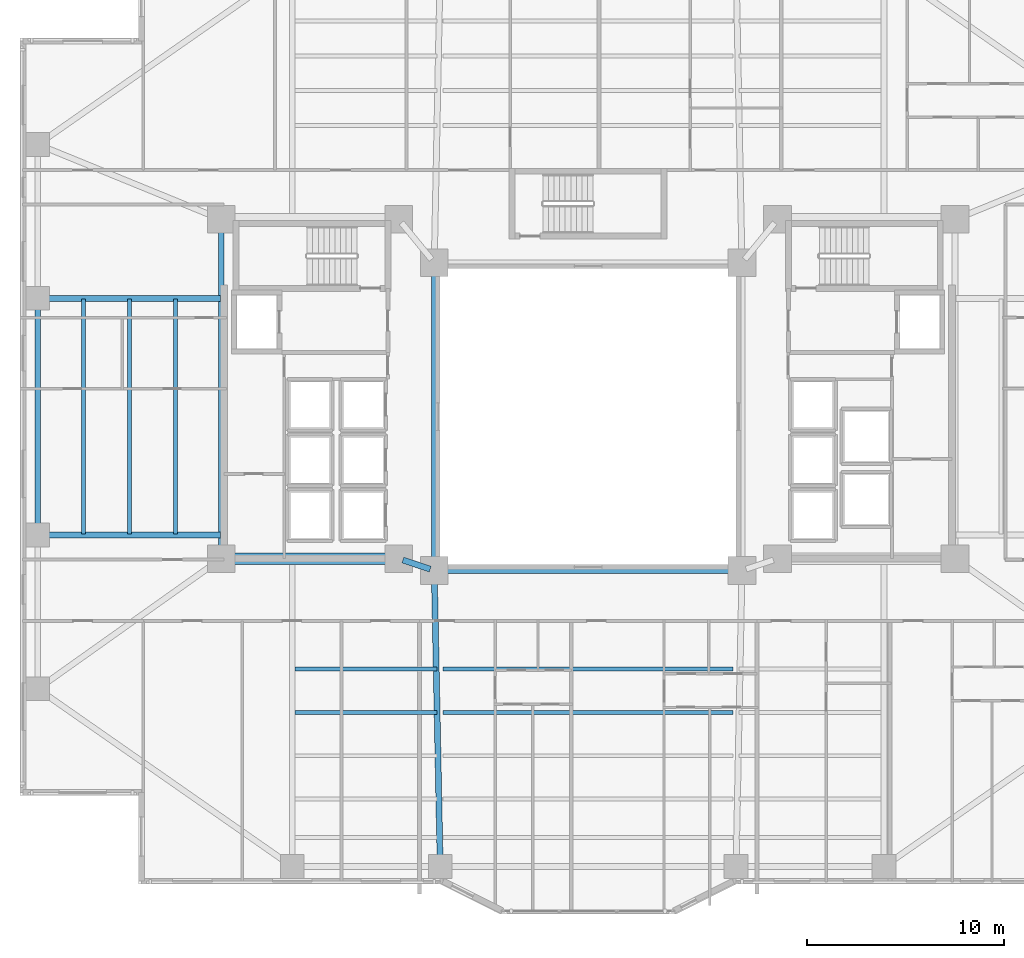
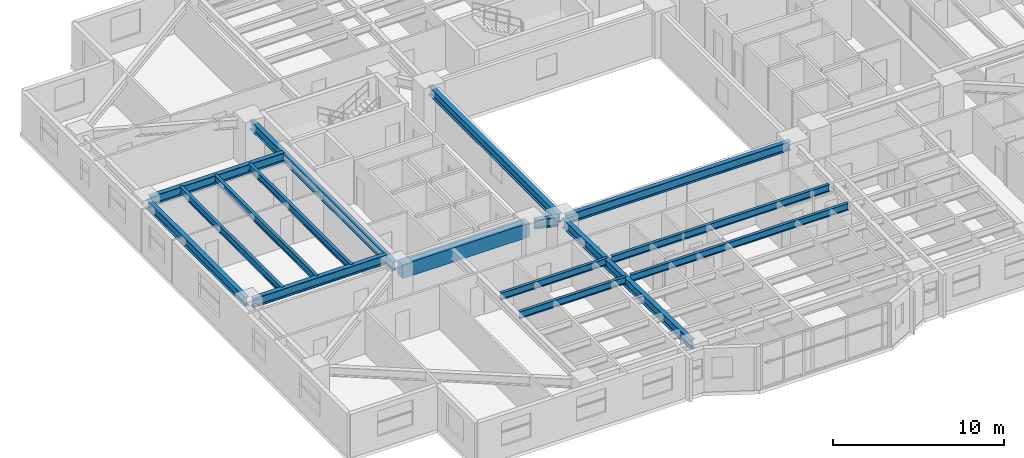
# One storey, part 3 of 21: 16 beams.
"""IFC4 building model written with IfcOpenShell, lengths in metres."""

from ifc_helpers import new_model, si_unit, direction, frame, origin, origin_2d, place, context, subcontext, project, spatial, rectangle, i_section, extrude, material, material_profile, profile_set, type_object, element, save


model = new_model("IFC4")

# Units and contexts
model_context = context("Model", 3, precision=1e-05, world=origin(), true_north=direction((0.0, 1.0)))
body_context = subcontext(model_context, "Body", "Model", "MODEL_VIEW")
ifc_project = project(units=[si_unit("LENGTHUNIT", "METRE"), si_unit("AREAUNIT", "SQUARE_METRE"), si_unit("VOLUMEUNIT", "CUBIC_METRE"), si_unit("PLANEANGLEUNIT", "RADIAN"), si_unit("MASSUNIT", "GRAM", prefix="KILO")], contexts=[model_context])

# Site, building, storey
site_placement = place(None, origin())
site = spatial("IfcSite", under=ifc_project, at=site_placement, CompositionType="ELEMENT")
building_placement = place(site_placement, origin())
building = spatial("IfcBuilding", under=site, at=building_placement, Name="Tarnavaz Court Tower", CompositionType="ELEMENT")
storey_placement = place(building_placement, frame((0.0, 0.0, 44.10009765625)))
storey = spatial("IfcBuildingStorey", under=building, at=storey_placement, Name="L11", CompositionType="ELEMENT", Elevation=44.10009765625)

# Beams
ifc_material_1 = material(Name="Concrete C60/75", Category="concrete")
ifc_material_profile_1 = material_profile(ifc_material_1, rectangle(XDim=0.60009765625, YDim=1.0, at=origin_2d()), Name="RC 600X1000")
ifc_profile_set_1 = profile_set([ifc_material_profile_1], Name="Concrete C60/75")
beam_type_1 = type_object("IfcBeamType", Name="BM-CB1000", PredefinedType="LINTEL", material=ifc_profile_set_1)
beam_1_placement = place(storey_placement, frame((-18.3798828125, -7.199951171875, 2.599853515625), z_axis=(1.0, 0.0, 0.0), x_axis=(0.0, 1.0, 0.0)))
element("IfcBeam", 1, at=beam_1_placement, inside=storey, type_object=beam_type_1, Name="L11 Beam IN-CW-SO-CW-SI", PredefinedType="LINTEL", context=body_context, shape_type="SweptSolid", body=[
    extrude(rectangle(XDim=0.60009765625, YDim=1.0, at=origin_2d()), origin(), (0.0, 0.0, 1.0), 8.559814453125),
])
ifc_material_2 = material(Name="Steel S355", Category="steel")
ifc_material_profile_2 = material_profile(ifc_material_2, i_section(OverallWidth=0.300048828125, OverallDepth=0.64990234375, WebThickness=0.01611328125, FlangeThickness=0.031005859375, FilletRadius=0.027099609375, at=origin_2d()), Name="HEB 650")
ifc_profile_set_2 = profile_set([ifc_material_profile_2], Name="Steel S355")
beam_type_2 = type_object("IfcBeamType", Name="BM-G-HEB650", PredefinedType="USERDEFINED", material=ifc_profile_set_2)
beam_2_placement = place(storey_placement, frame((-9.391357421875, -7.26953125, 2.77490234375), z_axis=(0.948666544706, -0.316278021615, 0.0), x_axis=(0.316278021615, 0.948666544706, 0.0)))
element("IfcBeam", 2, at=beam_2_placement, inside=storey, type_object=beam_type_2, Name="L11 Beam IN-CW-SI-IW-SW", ObjectType="GIRDER", PredefinedType="USERDEFINED", context=body_context, shape_type="SweptSolid", body=[
    extrude(i_section(OverallWidth=0.300048828125, OverallDepth=0.64990234375, WebThickness=0.01611328125, FlangeThickness=0.031005859375, FilletRadius=0.027099609375, at=origin_2d()), origin(), (0.0, 0.0, 1.0), 1.457275390625),
])
beam_3_placement = place(storey_placement, frame((-18.60009765625, -6.97998046875, 2.77490234375), z_axis=(0.0, 1.0, 0.0), x_axis=(-1.0, 0.0, 0.0)))
element("IfcBeam", 3, at=beam_3_placement, inside=storey, type_object=beam_type_2, Name="L11 Beam IN-CW-SO-CW-NO", ObjectType="GIRDER", PredefinedType="USERDEFINED", context=body_context, shape_type="SweptSolid", body=[
    extrude(i_section(OverallWidth=0.300048828125, OverallDepth=0.64990234375, WebThickness=0.01611328125, FlangeThickness=0.031005859375, FilletRadius=0.027099609375, at=origin_2d()), origin(), (0.0, 0.0, 1.0), 16.760009765625),
])
beam_4_placement = place(storey_placement, frame((-7.795654296875, -8.02001953125, 2.77490234375), z_axis=(0.020000023066, -0.999799979535, 0.0), x_axis=(0.999799979535, 0.020000023066, 0.0)))
element("IfcBeam", 4, at=beam_4_placement, inside=storey, type_object=beam_type_2, Name="L11 Beam RG-06", ObjectType="GIRDER", PredefinedType="USERDEFINED", context=body_context, shape_type="SweptSolid", body=[
    extrude(i_section(OverallWidth=0.300048828125, OverallDepth=0.64990234375, WebThickness=0.01611328125, FlangeThickness=0.031005859375, FilletRadius=0.027099609375, at=origin_2d()), origin(), (0.0, 0.0, 1.0), 14.56298828125),
])
for number, where, z_axis, x_axis, name in (
    (5, (-18.639892578125, -6.0, 2.77490234375), (-1.0, 0.0, 0.0), (0.0, -1.0, 0.0), "L11 Beam RG-13"),
    (6, (-18.639892578125, 6.0, 2.77490234375), (-1.0, 0.0, 0.0), (0.0, -1.0, 0.0), "L11 Beam RG-14"),
):
    element("IfcBeam", number, at=place(storey_placement, frame(where, z_axis=z_axis, x_axis=x_axis)), inside=storey, type_object=beam_type_2, Name=name, ObjectType="GIRDER", PredefinedType="USERDEFINED", context=body_context, shape_type="SweptSolid", body=[
        extrude(i_section(OverallWidth=0.300048828125, OverallDepth=0.64990234375, WebThickness=0.01611328125, FlangeThickness=0.031005859375, FilletRadius=0.027099609375, at=origin_2d()), origin(), (0.0, 0.0, 1.0), 9.0400390625),
    ])
ifc_material_profile_3 = material_profile(ifc_material_2, i_section(OverallWidth=0.199951171875, OverallDepth=0.5, WebThickness=0.01025390625, FlangeThickness=0.01611328125, FilletRadius=0.02099609375, at=origin_2d()), Name="IPE 500")
ifc_profile_set_3 = profile_set([ifc_material_profile_3], Name="Steel S355")
beam_type_3 = type_object("IfcBeamType", Name="BM-J-IPE500", PredefinedType="JOIST", material=ifc_profile_set_3)
beam_5_placement = place(storey_placement, frame((-14.85009765625, -12.7958984375, 2.849853515625), z_axis=(1.0, 0.0, 0.0), x_axis=(0.0, 1.0, 0.0)))
element("IfcBeam", 7, at=beam_5_placement, inside=storey, type_object=beam_type_3, Name="L11 Beam JS1-1", PredefinedType="JOIST", context=body_context, shape_type="SweptSolid", body=[
    extrude(i_section(OverallWidth=0.199951171875, OverallDepth=0.5, WebThickness=0.01025390625, FlangeThickness=0.01611328125, FilletRadius=0.02099609375, at=origin_2d()), origin(), (0.0, 0.0, 1.0), 7.2001953125),
])
beam_6_placement = place(storey_placement, frame((-7.35009765625, -12.7958984375, 2.849853515625), z_axis=(1.0, 0.0, 0.0), x_axis=(0.0, 1.0, 0.0)))
element("IfcBeam", 8, at=beam_6_placement, inside=storey, type_object=beam_type_3, Name="L11 Beam JS1-2", PredefinedType="JOIST", context=body_context, shape_type="SweptSolid", body=[
    extrude(i_section(OverallWidth=0.199951171875, OverallDepth=0.5, WebThickness=0.01025390625, FlangeThickness=0.01611328125, FilletRadius=0.02099609375, at=origin_2d()), origin(), (0.0, 0.0, 1.0), 14.7001953125),
])
beam_7_placement = place(storey_placement, frame((-14.85009765625, -14.991943359375, 2.849853515625), z_axis=(1.0, 0.0, 0.0), x_axis=(0.0, 1.0, 0.0)))
element("IfcBeam", 9, at=beam_7_placement, inside=storey, type_object=beam_type_3, Name="L11 Beam JS2-1", PredefinedType="JOIST", context=body_context, shape_type="SweptSolid", body=[
    extrude(i_section(OverallWidth=0.199951171875, OverallDepth=0.5, WebThickness=0.01025390625, FlangeThickness=0.01611328125, FilletRadius=0.02099609375, at=origin_2d()), origin(), (0.0, 0.0, 1.0), 7.2001953125),
])
beam_8_placement = place(storey_placement, frame((-7.35009765625, -14.991943359375, 2.849853515625), z_axis=(1.0, 0.0, 0.0), x_axis=(0.0, 1.0, 0.0)))
element("IfcBeam", 10, at=beam_8_placement, inside=storey, type_object=beam_type_3, Name="L11 Beam JS2-2", PredefinedType="JOIST", context=body_context, shape_type="SweptSolid", body=[
    extrude(i_section(OverallWidth=0.199951171875, OverallDepth=0.5, WebThickness=0.01025390625, FlangeThickness=0.01611328125, FilletRadius=0.02099609375, at=origin_2d()), origin(), (0.0, 0.0, 1.0), 14.7001953125),
])
for number, where, z_axis, x_axis, name in (
    (11, (-20.925048828125, -5.9599609375, 2.849853515625), (0.0, 1.0, 0.0), (-1.0, 0.0, 0.0), "L11 Beam JW1"),
    (12, (-23.25, -5.9599609375, 2.849853515625), (0.0, 1.0, 0.0), (-1.0, 0.0, 0.0), "L11 Beam JW2"),
    (13, (-25.574951171875, -5.9599609375, 2.849853515625), (0.0, 1.0, 0.0), (-1.0, 0.0, 0.0), "L11 Beam JW3"),
):
    element("IfcBeam", number, at=place(storey_placement, frame(where, z_axis=z_axis, x_axis=x_axis)), inside=storey, type_object=beam_type_3, Name=name, PredefinedType="JOIST", context=body_context, shape_type="SweptSolid", body=[
        extrude(i_section(OverallWidth=0.199951171875, OverallDepth=0.5, WebThickness=0.01025390625, FlangeThickness=0.01611328125, FilletRadius=0.02099609375, at=origin_2d()), origin(), (0.0, 0.0, 1.0), 11.919921875),
    ])
ifc_material_profile_4 = material_profile(ifc_material_2, i_section(OverallWidth=0.300048828125, OverallDepth=0.639892578125, WebThickness=0.013427734375, FlangeThickness=0.02587890625, FilletRadius=0.027099609375, at=origin_2d()), Name="HEA 650")
ifc_profile_set_4 = profile_set([ifc_material_profile_4], Name="Steel S355")
beam_type_4 = type_object("IfcBeamType", Name="BM-SP-HEA650", PredefinedType="SPANDREL", material=ifc_profile_set_4)
for number, where, z_axis, x_axis, name in (
    (14, (-7.580078125, -7.800048828125, 2.77978515625), (1.0, 0.0, 0.0), (0.0, 1.0, 0.0), "L11 Beam IN-IW-SW-IW-SE"),
    (15, (-7.800048828125, -7.580078125, 2.77978515625), (0.0, 1.0, 0.0), (-1.0, 0.0, 0.0), "L11 Beam IN-IW-SW-IW-NW"),
):
    element("IfcBeam", number, at=place(storey_placement, frame(where, z_axis=z_axis, x_axis=x_axis)), inside=storey, type_object=beam_type_4, Name=name, PredefinedType="SPANDREL", context=body_context, shape_type="SweptSolid", body=[
        extrude(i_section(OverallWidth=0.300048828125, OverallDepth=0.639892578125, WebThickness=0.013427734375, FlangeThickness=0.02587890625, FilletRadius=0.027099609375, at=origin_2d()), origin(), (0.0, 0.0, 1.0), 15.16015625),
    ])
beam_9_placement = place(storey_placement, frame((-27.89990234375, -5.780029296875, 2.77978515625), z_axis=(0.0, 1.0, 0.0), x_axis=(-1.0, 0.0, 0.0)))
element("IfcBeam", 16, at=beam_9_placement, inside=storey, type_object=beam_type_4, Name="L11 Beam PR-PW-2-PW-3", PredefinedType="SPANDREL", context=body_context, shape_type="SweptSolid", body=[
    extrude(i_section(OverallWidth=0.300048828125, OverallDepth=0.639892578125, WebThickness=0.013427734375, FlangeThickness=0.02587890625, FilletRadius=0.027099609375, at=origin_2d()), origin(), (0.0, 0.0, 1.0), 11.56005859375),
])

save(model, "model.ifc")
